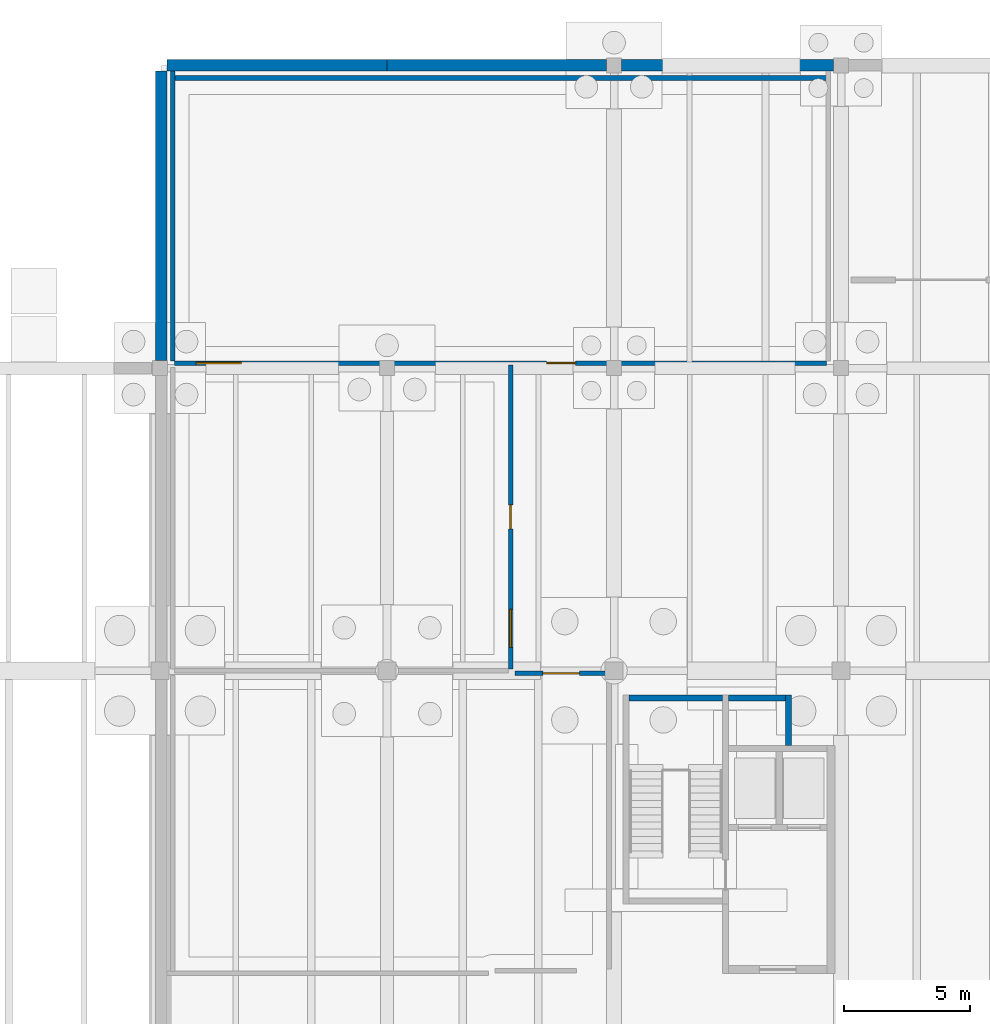
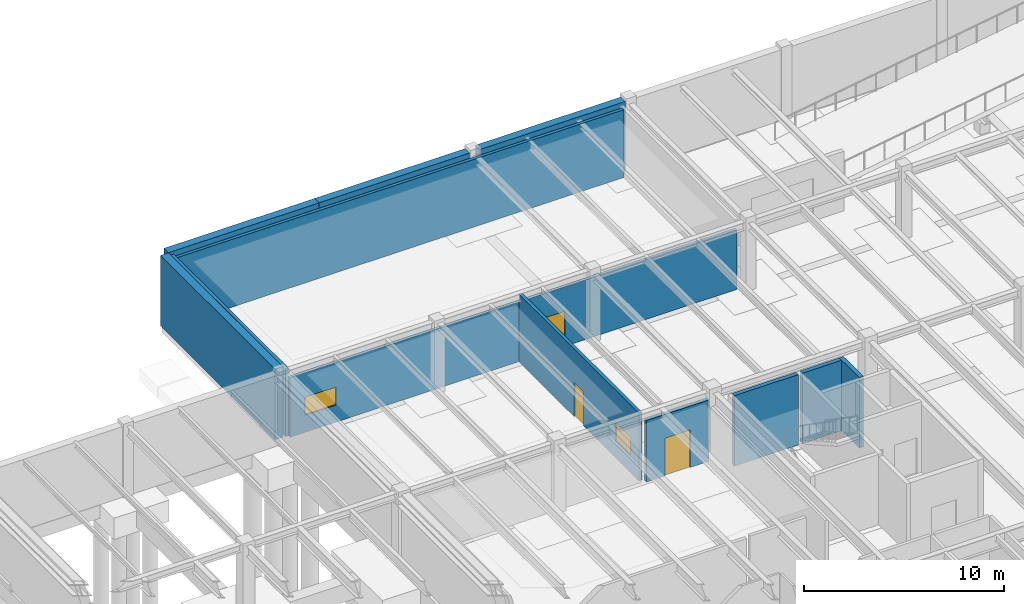
# One storey, part 33 of 40: 12 walls, 3 doors, 2 windows, 5 openings.
"""IFC4 building model written with IfcOpenShell, lengths in metres."""

from ifc_helpers import new_model, si_unit, direction, frame, frame_2d, origin, place, context, subcontext, project, spatial, rectangle, extrude, material, layer, layer_set, type_object, element, fill, save


model = new_model("IFC4")

# Units and contexts
model_context = context("Model", 3, precision=1e-05, world=origin(), true_north=direction((0.0, 1.0)))
body_context = subcontext(model_context, "Body", "Model", "MODEL_VIEW")
ifc_project = project(units=[si_unit("LENGTHUNIT", "METRE"), si_unit("AREAUNIT", "SQUARE_METRE"), si_unit("VOLUMEUNIT", "CUBIC_METRE"), si_unit("PLANEANGLEUNIT", "RADIAN"), si_unit("MASSUNIT", "GRAM", prefix="KILO")], contexts=[model_context])

# Site, building, storey
site_placement = place(None, origin())
site = spatial("IfcSite", under=ifc_project, at=site_placement, CompositionType="ELEMENT")
building_placement = place(site_placement, origin())
building = spatial("IfcBuilding", under=site, at=building_placement, Name="Montelvaro Courts of Justice", CompositionType="ELEMENT")
storey_placement = place(building_placement, frame((0.0, 0.0, -4.5)))
storey = spatial("IfcBuildingStorey", under=building, at=storey_placement, Name="B01", CompositionType="ELEMENT", Elevation=-4.5)

# Walls
ifc_material_1 = material(Name="Fire-rated gypsum and steel stud", Category="steel")
ifc_layer_1 = layer(ifc_material_1, 0.179931640625)
ifc_layer_set_1 = layer_set([ifc_layer_1], Name="Fire-rated gypsum and steel stud")
wall_type_1 = type_object("IfcWallType", Name="CorridorFireWall_180", PredefinedType="PARTITIONING", material=ifc_layer_set_1)
wall_1_placement = place(storey_placement, frame((99.5, 108.280029296875, 0.0), z_axis=(0.0, 0.0, 1.0), x_axis=(0.0, 1.0, 0.0)))
element("IfcWall", 1, at=wall_1_placement, inside=storey, type_object=wall_type_1, Name="Interior Partition IW-02 (B01)", PredefinedType="PARTITIONING", context=body_context, shape_type="SweptSolid", body=[
    extrude(rectangle(XDim=11.5, YDim=0.179931640625, at=frame_2d((5.75, 0.0))), origin(), (0.0, 0.0, 1.0), 4.139892578125),
])
wall_2_placement = place(storey_placement, frame((99.580078125, 119.5, 0.0), z_axis=(0.0, 0.0, 1.0), x_axis=(1.0, 0.0, 0.0)))
element("IfcWall", 2, at=wall_2_placement, inside=storey, type_object=wall_type_1, Name="Interior Partition IW-02 (B01)", PredefinedType="PARTITIONING", context=body_context, shape_type="SweptSolid", body=[
    extrude(rectangle(XDim=25.83984375, YDim=0.179931640625, at=frame_2d((12.919921875, 0.0))), origin(), (0.0, 0.0, 1.0), 4.139892578125),
])

# Wall, openings, door, window
wall_3_placement = place(storey_placement, frame((125.419921875, 108.199951171875, 0.0), z_axis=(0.0, 0.0, 1.0), x_axis=(-1.0, 0.0, 0.0)))
wall_3 = element("IfcWall", 3, at=wall_3_placement, inside=storey, type_object=wall_type_1, Name="Interior Partition IW-02 (B01)", PredefinedType="PARTITIONING", context=body_context, shape_type="SweptSolid", body=[
    extrude(rectangle(XDim=25.83984375, YDim=0.179931640625, at=frame_2d((12.919921875, 0.0))), origin(), (0.0, 0.0, 1.0), 3.64501953125),
])
opening_1_placement = place(wall_3_placement, frame((9.945068359375, 0.0, 0.0)))
opening_1 = element("IfcOpeningElement", 4, at=opening_1_placement, cuts=wall_3, Name="Opening D-B01-001", PredefinedType="OPENING", context=body_context, shape_type="SweptSolid", body=[
    extrude(rectangle(XDim=1.14990234375, YDim=2.14990234375, at=frame_2d((0.574951171875, 1.074951171875))), frame((0.0, 0.10498046875, 0.0), z_axis=(0.0, -1.0, 0.0), x_axis=(1.0, 0.0, 0.0)), (0.0, 0.0, 1.0), 0.209716796875),
])
opening_2_placement = place(wall_3_placement, frame((23.18994140625, 0.0, 1.050048828125)))
opening_2 = element("IfcOpeningElement", 5, at=opening_2_placement, cuts=wall_3, Name="Opening WI-01", PredefinedType="OPENING", context=body_context, shape_type="SweptSolid", body=[
    extrude(rectangle(XDim=1.800048828125, YDim=1.10009765625, at=frame_2d((0.89990234375, 0.550048828125))), frame((0.0, 0.10498046875, 0.0), z_axis=(0.0, -1.0, 0.0), x_axis=(1.0, 0.0, 0.0)), (0.0, 0.0, 1.0), 0.209716796875),
])
ifc_material_2 = material(Name="Galvanised steel S355 security door", Category="steel")
door_type_1 = type_object("IfcDoorType", Name="CustodyDoor_115x215", OperationType="NOTDEFINED", PredefinedType="DOOR", material=ifc_material_2)
door_1_placement = place(opening_1_placement, frame((1.14990234375, 0.0, 0.0), z_axis=(0.0, 0.0, 1.0), x_axis=(-1.0, 0.0, 0.0)))
door_1 = element("IfcDoor", 6, at=door_1_placement, inside=storey, type_object=door_type_1, Name="Interior Door D-B01-001 (Custody Intake and Booking Suite)", OperationType="SINGLE_SWING_RIGHT", OverallHeight=2.14990234375, OverallWidth=1.14990234375, PredefinedType="DOOR", context=body_context, shape_type="SweptSolid", body=[
    extrude(rectangle(XDim=1.14990234375, YDim=2.14990234375, at=frame_2d((0.574951171875, 1.074951171875))), frame((0.0, 0.02490234375, 0.0), z_axis=(0.0, -1.0, 0.0), x_axis=(1.0, 0.0, 0.0)), (0.0, 0.0, 1.0), 0.050048828125),
])
fill(opening_1, door_1)
ifc_material_3 = material(Name="Acoustic laminated double glazing", Category="glass")
window_type_1 = type_object("IfcWindowType", Name="IntVision_180x110", PartitioningType="SINGLE_PANEL", PredefinedType="WINDOW", material=ifc_material_3)
window_1_placement = place(opening_2_placement, origin())
window_1 = element("IfcWindow", 7, at=window_1_placement, inside=storey, type_object=window_type_1, Name="Interior Vision Panel WI-001", OverallHeight=1.10009765625, OverallWidth=1.800048828125, PartitioningType="SINGLE_PANEL", PredefinedType="WINDOW", context=body_context, shape_type="SweptSolid", body=[
    extrude(rectangle(XDim=1.800048828125, YDim=1.10009765625, at=frame_2d((0.89990234375, 0.550048828125))), frame((0.0, 0.030029296875, 0.0), z_axis=(0.0, -1.0, 0.0), x_axis=(1.0, 0.0, 0.0)), (0.0, 0.0, 1.0), 0.06005859375),
])
fill(opening_2, window_1)

wall_4_placement = place(storey_placement, frame((112.89990234375, 108.114990234375, 0.0), z_axis=(0.0, 0.0, 1.0), x_axis=(0.0, -1.0, 0.0)))
wall_4 = element("IfcWall", 8, at=wall_4_placement, inside=storey, type_object=wall_type_1, Name="Interior Partition IW-02 (B01)", PredefinedType="PARTITIONING", context=body_context, shape_type="SweptSolid", body=[
    extrude(rectangle(XDim=12.034912109375, YDim=0.179931640625, at=frame_2d((6.017578125, 0.0))), origin(), (0.0, 0.0, 1.0), 4.139892578125),
])
opening_3_placement = place(wall_4_placement, frame((5.5419921875, 0.0, 0.0)))
opening_3 = element("IfcOpeningElement", 9, at=opening_3_placement, cuts=wall_4, Name="Opening D-B01-002", PredefinedType="OPENING", context=body_context, shape_type="SweptSolid", body=[
    extrude(rectangle(XDim=0.949951171875, YDim=2.10009765625, at=frame_2d((0.47509765625, 1.050048828125))), frame((0.0, 0.10498046875, 0.0), z_axis=(0.0, -1.0, 0.0), x_axis=(1.0, 0.0, 0.0)), (0.0, 0.0, 1.0), 0.209716796875),
])
opening_4_placement = place(wall_4_placement, frame((9.68505859375, 0.0, 1.050048828125)))
opening_4 = element("IfcOpeningElement", 10, at=opening_4_placement, cuts=wall_4, Name="Opening WI-02", PredefinedType="OPENING", context=body_context, shape_type="SweptSolid", body=[
    extrude(rectangle(XDim=1.5, YDim=1.10009765625, at=frame_2d((0.75, 0.550048828125))), frame((0.0, 0.10498046875, 0.0), z_axis=(0.0, -1.0, 0.0), x_axis=(1.0, 0.0, 0.0)), (0.0, 0.0, 1.0), 0.209716796875),
])
door_type_2 = type_object("IfcDoorType", Name="CustodyCellDoor_095x210", OperationType="NOTDEFINED", PredefinedType="DOOR", material=ifc_material_2)
door_2_placement = place(opening_3_placement, origin())
door_2 = element("IfcDoor", 11, at=door_2_placement, inside=storey, type_object=door_type_2, Name="Interior Door D-B01-002 (Custody Holding Cell Block North)", OperationType="SINGLE_SWING_LEFT", OverallHeight=2.10009765625, OverallWidth=0.949951171875, PredefinedType="DOOR", context=body_context, shape_type="SweptSolid", body=[
    extrude(rectangle(XDim=0.949951171875, YDim=2.10009765625, at=frame_2d((0.47509765625, 1.050048828125))), frame((0.0, 0.02490234375, 0.0), z_axis=(0.0, -1.0, 0.0), x_axis=(1.0, 0.0, 0.0)), (0.0, 0.0, 1.0), 0.050048828125),
])
fill(opening_3, door_2)
window_type_2 = type_object("IfcWindowType", Name="IntVision_150x110", PartitioningType="SINGLE_PANEL", PredefinedType="WINDOW", material=ifc_material_3)
window_2_placement = place(opening_4_placement, origin())
window_2 = element("IfcWindow", 12, at=window_2_placement, inside=storey, type_object=window_type_2, Name="Interior Vision Panel WI-002", OverallHeight=1.10009765625, OverallWidth=1.5, PartitioningType="SINGLE_PANEL", PredefinedType="WINDOW", context=body_context, shape_type="SweptSolid", body=[
    extrude(rectangle(XDim=1.5, YDim=1.10009765625, at=frame_2d((0.75, 0.550048828125))), frame((0.0, 0.030029296875, 0.0), z_axis=(0.0, -1.0, 0.0), x_axis=(1.0, 0.0, 0.0)), (0.0, 0.0, 1.0), 0.06005859375),
])
fill(opening_4, window_2)

# Wall, opening, door
wall_5_placement = place(storey_placement, frame((113.080078125, 95.89990234375, 0.0), z_axis=(0.0, 0.0, 1.0), x_axis=(1.0, 0.0, 0.0)))
wall_5 = element("IfcWall", 13, at=wall_5_placement, inside=storey, type_object=wall_type_1, Name="Interior Partition IW-02 (B01)", PredefinedType="PARTITIONING", context=body_context, shape_type="SweptSolid", body=[
    extrude(rectangle(XDim=3.639892578125, YDim=0.179931640625, at=frame_2d((1.81982421875, 0.0))), origin(), (0.0, 0.0, 1.0), 3.7548828125),
])
opening_5_placement = place(wall_5_placement, frame((1.094970703125, 0.0, 0.0)))
opening_5 = element("IfcOpeningElement", 14, at=opening_5_placement, cuts=wall_5, Name="Opening D-B01-003", PredefinedType="OPENING", context=body_context, shape_type="SweptSolid", body=[
    extrude(rectangle(XDim=1.449951171875, YDim=2.300048828125, at=frame_2d((0.72509765625, 1.14990234375))), frame((0.0, 0.10498046875, 0.0), z_axis=(0.0, -1.0, 0.0), x_axis=(1.0, 0.0, 0.0)), (0.0, 0.0, 1.0), 0.209716796875),
])
door_type_3 = type_object("IfcDoorType", Name="ArchiveVaultDoor_145x230", OperationType="DOUBLE_DOOR_SINGLE_SWING", PredefinedType="DOOR", material=ifc_material_2)
door_3_placement = place(opening_5_placement, frame((1.449951171875, 0.0, 0.0), z_axis=(0.0, 0.0, 1.0), x_axis=(-1.0, 0.0, 0.0)))
door_3 = element("IfcDoor", 15, at=door_3_placement, inside=storey, type_object=door_type_3, Name="Interior Door D-B01-003 (Custody Holding Cell Block South)", OperationType="DOUBLE_DOOR_SINGLE_SWING", OverallHeight=2.300048828125, OverallWidth=1.449951171875, PredefinedType="DOOR", context=body_context, shape_type="SweptSolid", body=[
    extrude(rectangle(XDim=1.449951171875, YDim=2.300048828125, at=frame_2d((0.72509765625, 1.14990234375))), frame((0.0, 0.02490234375, 0.0), z_axis=(0.0, -1.0, 0.0), x_axis=(1.0, 0.0, 0.0)), (0.0, 0.0, 1.0), 0.050048828125),
])
fill(opening_5, door_3)

# Walls
ifc_material_4 = material(Name="Concrete C35/45", Category="concrete")
ifc_layer_2 = layer(ifc_material_4, 0.449951171875)
ifc_layer_set_2 = layer_set([ifc_layer_2], Name="Concrete C35/45")
wall_type_2 = type_object("IfcWallType", Name="RetainingWall_450", PredefinedType="USERDEFINED", material=ifc_layer_set_2)
wall_6_placement = place(storey_placement, frame((125.7041015625, 120.0, 0.0), z_axis=(0.0, 0.0, 1.0), x_axis=(-1.0, 0.0, 0.0)))
element("IfcWall", 16, at=wall_6_placement, inside=storey, type_object=wall_type_2, Name="Basement Plinth Retaining Wall RW-01-023", ObjectType="RETAININGWALL", PredefinedType="USERDEFINED", context=body_context, shape_type="SweptSolid", body=[
    extrude(rectangle(XDim=8.408203125, YDim=0.449951171875, at=frame_2d((4.2041015625, 0.0))), origin(), (0.0, 0.0, 1.0), 4.320068359375),
])
wall_7_placement = place(storey_placement, frame((116.7041015625, 120.0, 0.0), z_axis=(0.0, 0.0, 1.0), x_axis=(-1.0, 0.0, 0.0)))
element("IfcWall", 17, at=wall_7_placement, inside=storey, type_object=wall_type_2, Name="Basement Plinth Retaining Wall RW-01-024", ObjectType="RETAININGWALL", PredefinedType="USERDEFINED", context=body_context, shape_type="SweptSolid", body=[
    extrude(rectangle(XDim=8.7041015625, YDim=0.449951171875, at=frame_2d((4.35205078125, 0.0))), origin(), (0.0, 0.0, 1.0), 4.320068359375),
])
wall_8_placement = place(storey_placement, frame((108.0, 120.0, 0.0), z_axis=(0.0, 0.0, 1.0), x_axis=(-1.0, 0.0, 0.0)))
element("IfcWall", 18, at=wall_8_placement, inside=storey, type_object=wall_type_2, Name="Basement Plinth Retaining Wall RW-01-025", ObjectType="RETAININGWALL", PredefinedType="USERDEFINED", context=body_context, shape_type="SweptSolid", body=[
    extrude(rectangle(XDim=8.724853515625, YDim=0.449951171875, at=frame_2d((4.3623046875, 0.0))), origin(), (0.0, 0.0, 1.0), 4.320068359375),
])
wall_9_placement = place(storey_placement, frame((99.050048828125, 119.77490234375, 0.0), z_axis=(0.0, 0.0, 1.0), x_axis=(0.0, -1.0, 0.0)))
element("IfcWall", 19, at=wall_9_placement, inside=storey, type_object=wall_type_2, Name="Basement Plinth Retaining Wall RW-01-026", ObjectType="RETAININGWALL", PredefinedType="USERDEFINED", context=body_context, shape_type="SweptSolid", body=[
    extrude(rectangle(XDim=11.47900390625, YDim=0.449951171875, at=frame_2d((5.739501953125, 0.0))), origin(), (0.0, 0.0, 1.0), 4.320068359375),
])
ifc_layer_3 = layer(ifc_material_4, 0.239990234375)
ifc_layer_set_3 = layer_set([ifc_layer_3], Name="Concrete C35/45")
wall_type_3 = type_object("IfcWallType", Name="ShaftWall_240", PredefinedType="SHEAR", material=ifc_layer_set_3)
wall_10_placement = place(storey_placement, frame((117.60009765625, 94.919921875, 0.0), z_axis=(0.0, 0.0, 1.0), x_axis=(1.0, 0.0, 0.0)))
element("IfcWall", 20, at=wall_10_placement, inside=storey, type_object=wall_type_3, Name="Protected Stair Structural Wall ST-K3-N (B01)", PredefinedType="SHEAR", context=body_context, shape_type="SweptSolid", body=[
    extrude(rectangle(XDim=3.699951171875, YDim=0.239990234375, at=frame_2d((1.85009765625, 0.0))), origin(), (0.0, 0.0, 1.0), 4.31005859375),
])
wall_11_placement = place(storey_placement, frame((123.919921875, 93.0400390625, 0.0), z_axis=(0.0, 0.0, 1.0), x_axis=(0.0, 1.0, 0.0)))
element("IfcWall", 21, at=wall_11_placement, inside=storey, type_object=wall_type_3, Name="Service Riser East Shaft Wall K3 (B01)", PredefinedType="SHEAR", context=body_context, shape_type="SweptSolid", body=[
    extrude(rectangle(XDim=2.0, YDim=0.239990234375, at=frame_2d((1.0, 0.0))), origin(), (0.0, 0.0, 1.0), 4.31005859375),
])
wall_12_placement = place(storey_placement, frame((121.5400390625, 94.919921875, 0.0), z_axis=(0.0, 0.0, 1.0), x_axis=(1.0, 0.0, 0.0)))
element("IfcWall", 22, at=wall_12_placement, inside=storey, type_object=wall_type_3, Name="Service Riser North Shaft Wall K3 (B01)", PredefinedType="SHEAR", context=body_context, shape_type="SweptSolid", body=[
    extrude(rectangle(XDim=2.260009765625, YDim=0.239990234375, at=frame_2d((1.1298828125, 0.0))), origin(), (0.0, 0.0, 1.0), 4.31005859375),
])

save(model, "model.ifc")
